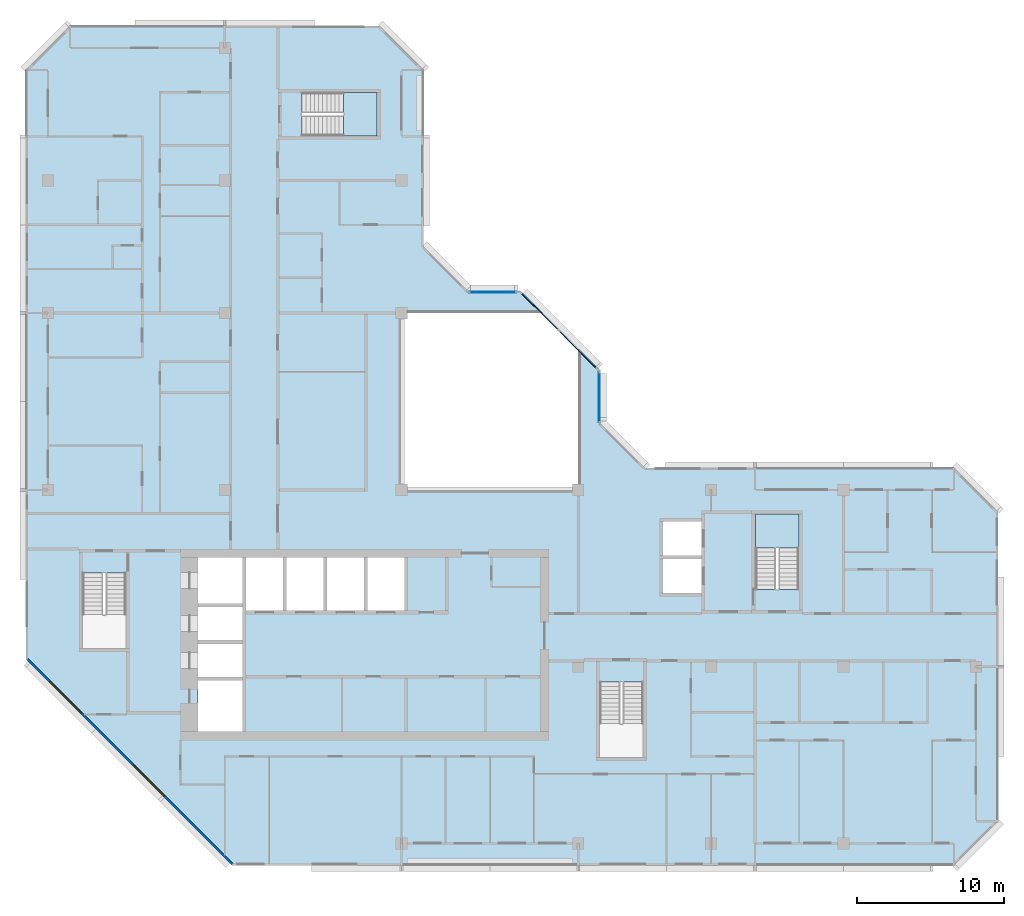
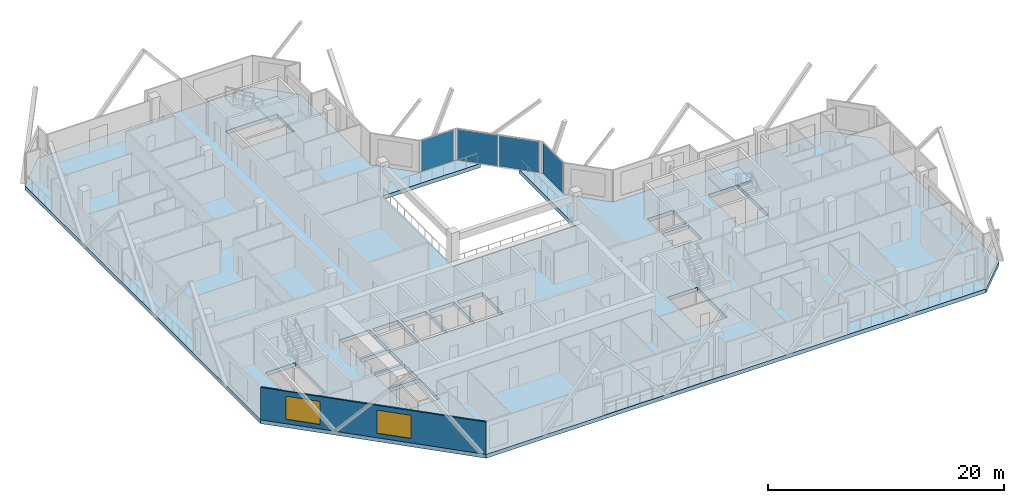
# One storey, part 3 of 13: 4 plates, 3 slabs, 2 windows, 1 wall, 2 openings, 5 elements without a shape of their own.
"""IFC4 building model written with IfcOpenShell, lengths in metres."""

from ifc_helpers import new_model, si_unit, direction, frame, frame_2d, origin, origin_2d, place, context, subcontext, project, spatial, polyline, rectangle, outline, extrude, material, layer, layer_set, type_object, element, fill, aggregate, save


model = new_model("IFC4")

# Units and contexts
model_context = context("Model", 3, precision=1e-05, world=origin(), true_north=direction((0.0, 1.0)))
body_context = subcontext(model_context, "Body", "Model", "MODEL_VIEW")
ifc_project = project(units=[si_unit("LENGTHUNIT", "METRE"), si_unit("AREAUNIT", "SQUARE_METRE"), si_unit("VOLUMEUNIT", "CUBIC_METRE"), si_unit("PLANEANGLEUNIT", "RADIAN"), si_unit("MASSUNIT", "GRAM", prefix="KILO")], contexts=[model_context])

# Site, building, storey
site_placement = place(None, origin())
site = spatial("IfcSite", under=ifc_project, at=site_placement, CompositionType="ELEMENT")
building_placement = place(site_placement, origin())
building = spatial("IfcBuilding", under=site, at=building_placement, Name="Chenar Terraces", CompositionType="ELEMENT")
storey_placement = place(building_placement, frame((0.0, 0.0, 288.39990234375)))
storey = spatial("IfcBuildingStorey", under=building, at=storey_placement, Name="L67", CompositionType="ELEMENT", Elevation=288.39990234375)

# Curtain wall, plate
ifc_material_1 = material(Name="Aluminium framed glazing", Category="aluminium")
ifc_layer_1 = layer(ifc_material_1, 0.14990234375)
ifc_layer_set_1 = layer_set([ifc_layer_1], Name="Aluminium framed glazing")
curtain_wall_type = type_object("IfcCurtainWallType", Name="Atrium upper-zone curtain wall", PredefinedType="NOTDEFINED", material=ifc_layer_set_1)
placement_1 = place(storey_placement, origin())
curtain_wall_1 = element("IfcCurtainWall", 1, at=placement_1, inside=storey, type_object=curtain_wall_type, Name="Atrium upper-zone curtain wall", PredefinedType="NOTDEFINED")
ifc_material_2 = material(Name="Low emissivity laminated glass, solar control coating", Category="glass")
ifc_layer_2 = layer(ifc_material_2, 0.050048828125)
ifc_layer_set_2 = layer_set([ifc_layer_2], Name="Low emissivity laminated glass, solar control coating")
plate_type = type_object("IfcPlateType", Name="Atrium upper-zone glazing panel 50", PredefinedType="CURTAIN_PANEL", material=ifc_layer_set_2)
plate_1_placement = place(storey_placement, frame((37.425048828125, 30.300048828125, 0.10009765625), z_axis=(0.0, 0.0, 1.0), x_axis=(0.0, 1.0, 0.0)))
plate_1 = element("IfcPlate", 2, at=plate_1_placement, type_object=plate_type, Name="CW8-1 panel 1.1", PredefinedType="CURTAIN_PANEL", context=body_context, shape_type="SweptSolid", body=[
    extrude(rectangle(XDim=3.39990234375, YDim=0.050048828125, at=origin_2d()), origin(), (0.0, 0.0, 1.0), 3.14990234375),
])
aggregate(curtain_wall_1, [plate_1])

# Curtain wall, plates
curtain_wall_2 = element("IfcCurtainWall", 3, at=placement_1, inside=storey, type_object=curtain_wall_type, Name="Atrium upper-zone curtain wall", PredefinedType="NOTDEFINED")
plate_2_placement = place(storey_placement, frame((35.97314453125, 33.520751953125, 0.10009765625), z_axis=(0.0, 0.0, 1.0), x_axis=(-0.707106781187, 0.707106781187, 0.0)))
plate_2 = element("IfcPlate", 4, at=plate_2_placement, type_object=plate_type, Name="CW8-2 panel 1.1", PredefinedType="CURTAIN_PANEL", context=body_context, shape_type="SweptSolid", body=[
    extrude(rectangle(XDim=3.568359375, YDim=0.050048828125, at=origin_2d()), origin(), (0.0, 0.0, 1.0), 3.14990234375),
])
plate_3_placement = place(storey_placement, frame((33.379150390625, 36.11474609375, 0.10009765625), z_axis=(0.0, 0.0, 1.0), x_axis=(-0.707106781187, 0.707106781187, 0.0)))
plate_3 = element("IfcPlate", 5, at=plate_3_placement, type_object=plate_type, Name="CW8-2 panel 2.1", PredefinedType="CURTAIN_PANEL", context=body_context, shape_type="SweptSolid", body=[
    extrude(rectangle(XDim=3.568359375, YDim=0.050048828125, at=origin_2d()), origin(), (0.0, 0.0, 1.0), 3.14990234375),
])
aggregate(curtain_wall_2, [plate_2, plate_3])

# Curtain wall, plate
curtain_wall_3 = element("IfcCurtainWall", 6, at=placement_1, inside=storey, type_object=curtain_wall_type, Name="Atrium upper-zone curtain wall", PredefinedType="NOTDEFINED")
plate_4_placement = place(storey_placement, frame((30.199951171875, 37.425048828125, 0.10009765625), z_axis=(0.0, 0.0, 1.0), x_axis=(-1.0, 0.0, 0.0)))
plate_4 = element("IfcPlate", 7, at=plate_4_placement, type_object=plate_type, Name="CW8-3 panel 1.1", PredefinedType="CURTAIN_PANEL", context=body_context, shape_type="SweptSolid", body=[
    extrude(rectangle(XDim=3.199951171875, YDim=0.050048828125, at=origin_2d()), origin(), (0.0, 0.0, 1.0), 3.14990234375),
])
aggregate(curtain_wall_3, [plate_4])

# Stair, slab
ifc_material_3 = material(Name="Reinforced concrete C40/50", Category="concrete")
stair_type = type_object("IfcStairType", Name="Core stair 1400 half-turn", PredefinedType="HALF_TURN_STAIR", material=ifc_material_3)
stair_1 = element("IfcStair", 8, at=placement_1, inside=storey, type_object=stair_type, Name="L67 Stair 3", PredefinedType="HALF_TURN_STAIR")
ifc_material_4 = material(Name="Reinforced concrete C40/50", Category="concrete")
ifc_layer_3 = layer(ifc_material_4, 0.199951171875)
ifc_layer_set_3 = layer_set([ifc_layer_3], Name="Reinforced concrete C40/50")
slab_type_1 = type_object("IfcSlabType", Name="Core stair landing 200", PredefinedType="LANDING", material=ifc_layer_set_3)
placement_2 = place(storey_placement, frame((0.0, 0.0, 1.675048828125)))
slab_1 = element("IfcSlab", 9, at=placement_2, type_object=slab_type_1, Name="ST3 landing 1", PredefinedType="LANDING", context=body_context, shape_type="SweptSolid", body=[
    extrude(outline(polyline([(50.97509765625, 20.050048828125), (50.97509765625, 22.35009765625), (48.02490234375, 22.35009765625), (48.02490234375, 20.050048828125), (50.97509765625, 20.050048828125)])), origin(), (0.0, 0.0, 1.0), 0.199951171875),
])
aggregate(stair_1, [slab_1])

stair_2 = element("IfcStair", 10, at=placement_1, inside=storey, type_object=stair_type, Name="L67 Stair 4", PredefinedType="HALF_TURN_STAIR")
slab_2 = element("IfcSlab", 11, at=placement_2, type_object=slab_type_1, Name="ST4 landing 1", PredefinedType="LANDING", context=body_context, shape_type="SweptSolid", body=[
    extrude(outline(polyline([(20.050048828125, 48.02490234375), (22.35009765625, 48.02490234375), (22.35009765625, 50.97509765625), (20.050048828125, 50.97509765625), (20.050048828125, 48.02490234375)])), origin(), (0.0, 0.0, 1.0), 0.199951171875),
])
aggregate(stair_2, [slab_2])

# Slab
ifc_material_5 = material(Name="Concrete C40/50", Category="concrete")
ifc_layer_4 = layer(ifc_material_5, 0.39990234375)
ifc_layer_set_4 = layer_set([ifc_layer_4], Name="Concrete C40/50")
slab_type_2 = type_object("IfcSlabType", Name="Floor slab 400 Concrete C40/50", PredefinedType="FLOOR", material=ifc_layer_set_4)
slab_3_placement = place(storey_placement, frame((0.0, 0.0, -0.39990234375)))
element("IfcSlab", 12, at=slab_3_placement, inside=storey, type_object=slab_type_2, Name="Floor slab L67", PredefinedType="FLOOR", context=body_context, shape_type="SweptSolid", body=[
    extrude(outline(polyline([(64.5, 22.5), (64.5, 1.5), (61.5, -1.5), (12.5, -1.5), (-1.5, 12.5), (-1.5, 52.5), (1.5, 55.5), (22.5, 55.5), (25.5, 52.5), (25.5, 40.5), (28.5, 37.5), (32.10009765625, 37.5), (33.60009765625, 36.0), (24.0, 36.0), (24.0, 24.0), (36.0, 24.0), (36.0, 33.60009765625), (37.5, 32.10009765625), (37.5, 28.5), (40.5, 25.5), (61.5, 25.5), (64.5, 22.5)]), holes=[polyline([(10.199951171875, 11.050048828125), (10.199951171875, 7.60009765625), (13.199951171875, 7.60009765625), (13.199951171875, 11.050048828125), (10.199951171875, 11.050048828125)]), polyline([(13.199951171875, 13.550048828125), (10.199951171875, 13.550048828125), (10.199951171875, 11.300048828125), (13.199951171875, 11.300048828125), (13.199951171875, 13.550048828125)]), polyline([(13.199951171875, 16.050048828125), (10.199951171875, 16.050048828125), (10.199951171875, 13.800048828125), (13.199951171875, 13.800048828125), (13.199951171875, 16.050048828125)]), polyline([(2.35009765625, 13.25), (5.300048828125, 13.25), (5.300048828125, 18.35009765625), (2.35009765625, 18.35009765625), (2.35009765625, 13.25)]), polyline([(15.949951171875, 19.39990234375), (13.449951171875, 19.39990234375), (13.449951171875, 15.800048828125), (15.949951171875, 15.800048828125), (15.949951171875, 19.39990234375)]), polyline([(18.699951171875, 19.39990234375), (16.199951171875, 19.39990234375), (16.199951171875, 15.800048828125), (18.699951171875, 15.800048828125), (18.699951171875, 19.39990234375)]), polyline([(13.199951171875, 19.39990234375), (10.199951171875, 19.39990234375), (10.199951171875, 16.300048828125), (13.199951171875, 16.300048828125), (13.199951171875, 19.39990234375)]), polyline([(22.35009765625, 48.02490234375), (22.35009765625, 50.97509765625), (17.25, 50.97509765625), (17.25, 48.02490234375), (22.35009765625, 48.02490234375)]), polyline([(37.449951171875, 5.85009765625), (40.39990234375, 5.85009765625), (40.39990234375, 10.949951171875), (37.449951171875, 10.949951171875), (37.449951171875, 5.85009765625)]), polyline([(21.449951171875, 19.39990234375), (18.949951171875, 19.39990234375), (18.949951171875, 15.800048828125), (21.449951171875, 15.800048828125), (21.449951171875, 19.39990234375)]), polyline([(24.199951171875, 19.39990234375), (21.699951171875, 19.39990234375), (21.699951171875, 15.800048828125), (24.199951171875, 15.800048828125), (24.199951171875, 19.39990234375)]), polyline([(44.35009765625, 19.300048828125), (41.75, 19.300048828125), (41.75, 17.0), (44.35009765625, 17.0), (44.35009765625, 19.300048828125)]), polyline([(50.97509765625, 22.35009765625), (48.02490234375, 22.35009765625), (48.02490234375, 17.25), (50.97509765625, 17.25), (50.97509765625, 22.35009765625)]), polyline([(44.35009765625, 21.85009765625), (41.75, 21.85009765625), (41.75, 19.550048828125), (44.35009765625, 19.550048828125), (44.35009765625, 21.85009765625)])]), origin(), (0.0, 0.0, 1.0), 0.39990234375),
])

# Wall, openings, windows
ifc_material_6 = material(Name="Terracotta cladding on insulated backing", Category="masonry")
ifc_layer_5 = layer(ifc_material_6, 0.14990234375)
ifc_layer_set_5 = layer_set([ifc_layer_5], Name="Terracotta cladding on insulated backing")
wall_type = type_object("IfcWallType", Name="Terracotta rainscreen wall 150", PredefinedType="SOLIDWALL", material=ifc_layer_set_5)
wall_placement = place(storey_placement, frame((-1.447021484375, 12.552978515625, 0.0), z_axis=(0.0, 0.0, 1.0), x_axis=(0.707106781187, -0.707106781187, 0.0)))
wall = element("IfcWall", 13, at=wall_placement, inside=storey, type_object=wall_type, Name="Terracotta rainscreen wall", PredefinedType="SOLIDWALL", context=body_context, shape_type="SweptSolid", body=[
    extrude(rectangle(XDim=19.799072265625, YDim=0.14990234375, at=frame_2d((9.8994140625, 0.0))), origin(), (0.0, 0.0, 1.0), 3.35009765625),
])
opening_1_placement = place(wall_placement, frame((2.21240234375, 0.0, 0.449951171875)))
opening_1 = element("IfcOpeningElement", 14, at=opening_1_placement, cuts=wall, Name="Opening W300x240", PredefinedType="OPENING", context=body_context, shape_type="SweptSolid", body=[
    extrude(rectangle(XDim=3.0, YDim=2.39990234375, at=frame_2d((1.5, 1.199951171875))), frame((0.0, 0.0849609375, 0.0), z_axis=(0.0, -1.0, 0.0), x_axis=(1.0, 0.0, 0.0)), (0.0, 0.0, 1.0), 0.169921875),
])
opening_2_placement = place(wall_placement, frame((10.215576171875, 0.0, 0.449951171875)))
opening_2 = element("IfcOpeningElement", 15, at=opening_2_placement, cuts=wall, Name="Opening W300x240", PredefinedType="OPENING", context=body_context, shape_type="SweptSolid", body=[
    extrude(rectangle(XDim=3.0, YDim=2.39990234375, at=frame_2d((1.5, 1.199951171875))), frame((0.0, 0.0849609375, 0.0), z_axis=(0.0, -1.0, 0.0), x_axis=(1.0, 0.0, 0.0)), (0.0, 0.0, 1.0), 0.169921875),
])
ifc_material_7 = material(Name="Low emissivity double glazing, aluminium frame", Category="aluminium")
window_type = type_object("IfcWindowType", Name="Fixed light 3000 x 2400", PartitioningType="SINGLE_PANEL", PredefinedType="WINDOW", material=ifc_material_7)
window_1_placement = place(opening_1_placement, origin())
window_1 = element("IfcWindow", 16, at=window_1_placement, inside=storey, type_object=window_type, Name="Window", OverallHeight=2.39990234375, OverallWidth=3.0, PartitioningType="SINGLE_PANEL", PredefinedType="WINDOW", context=body_context, shape_type="SweptSolid", body=[
    extrude(rectangle(XDim=3.0, YDim=2.39990234375, at=frame_2d((1.5, 1.199951171875))), frame((0.0, 0.030029296875, 0.0), z_axis=(0.0, -1.0, 0.0), x_axis=(1.0, 0.0, 0.0)), (0.0, 0.0, 1.0), 0.06005859375),
])
fill(opening_1, window_1)
window_2_placement = place(opening_2_placement, origin())
window_2 = element("IfcWindow", 17, at=window_2_placement, inside=storey, type_object=window_type, Name="Window", OverallHeight=2.39990234375, OverallWidth=3.0, PartitioningType="SINGLE_PANEL", PredefinedType="WINDOW", context=body_context, shape_type="SweptSolid", body=[
    extrude(rectangle(XDim=3.0, YDim=2.39990234375, at=frame_2d((1.5, 1.199951171875))), frame((0.0, 0.030029296875, 0.0), z_axis=(0.0, -1.0, 0.0), x_axis=(1.0, 0.0, 0.0)), (0.0, 0.0, 1.0), 0.06005859375),
])
fill(opening_2, window_2)

save(model, "model.ifc")
